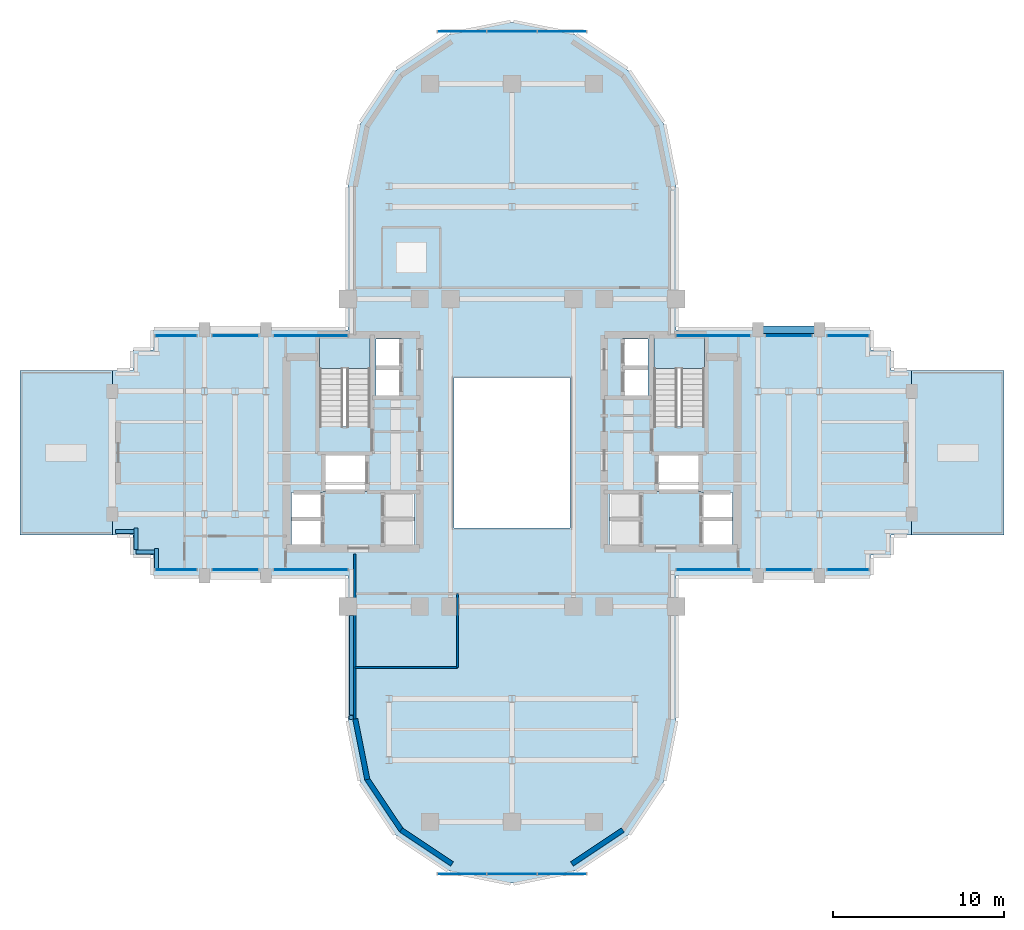
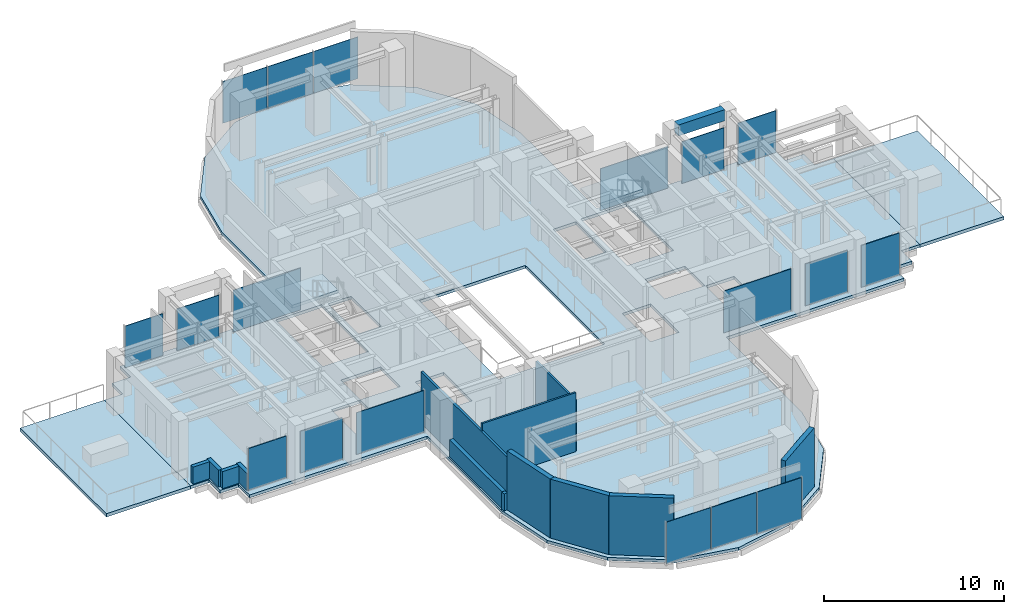
# One storey, part 7 of 16: 18 plates, 13 walls, 5 slabs, 1 beam, 16 elements without a shape of their own.
"""IFC4 building model written with IfcOpenShell, lengths in metres."""

from ifc_helpers import new_model, si_unit, direction, frame, frame_2d, origin, origin_2d, place, context, subcontext, project, spatial, polyline, rectangle, outline, extrude, source, transform, mapped, material, layer, layer_set, material_profile, profile_set, type_object, element, aggregate, save


model = new_model("IFC4")

# Units and contexts
model_context = context("Model", 3, precision=1e-05, world=origin(), true_north=direction((0.0, 1.0)))
body_context = subcontext(model_context, "Body", "Model", "MODEL_VIEW")
ifc_project = project(units=[si_unit("LENGTHUNIT", "METRE"), si_unit("AREAUNIT", "SQUARE_METRE"), si_unit("VOLUMEUNIT", "CUBIC_METRE"), si_unit("PLANEANGLEUNIT", "RADIAN"), si_unit("MASSUNIT", "GRAM", prefix="KILO")], contexts=[model_context])

# Site, building, storey
site_placement = place(None, origin())
site = spatial("IfcSite", under=ifc_project, at=site_placement, CompositionType="ELEMENT")
building_placement = place(site_placement, origin())
building = spatial("IfcBuilding", under=site, at=building_placement, Name="Keilestroom Media Tower", CompositionType="ELEMENT")
storey_placement = place(building_placement, frame((0.0, 0.0, 93.0)))
storey = spatial("IfcBuildingStorey", under=building, at=storey_placement, Name="L24", CompositionType="ELEMENT", Elevation=93.0)

# Beam
ifc_material_1 = material(Name="Precast concrete C40/50", Category="concrete")
ifc_material_profile = material_profile(ifc_material_1, rectangle(XDim=0.449951171875, YDim=0.75, at=origin_2d()), Name="PC 450x750")
ifc_profile_set = profile_set([ifc_material_profile], Name="Precast concrete C40/50")
beam_type = type_object("IfcBeamType", Name="Perimeter-Spandrel-Beam-PC-450x750", PredefinedType="SPANDREL", material=ifc_profile_set)
shared_shape_1 = source(origin(), body_context, "Body", "SweptSolid", [
    extrude(rectangle(XDim=0.449951171875, YDim=0.75, at=origin_2d()), origin(), (0.0, 0.0, 1.0), 2.989990234375),
])
beam_placement = place(storey_placement, frame((14.705078125, 7.199951171875, 3.625), z_axis=(1.0, 0.0, 0.0), x_axis=(0.0, 1.0, 0.0)))
element("IfcBeam", 1, at=beam_placement, inside=storey, type_object=beam_type, Name="L24 Beam SPB-1 BM-L24-EW-027", PredefinedType="SPANDREL", context=body_context, shape_type="MappedRepresentation", body=[
    mapped(shared_shape_1, transform((0.0, 0.0, 0.0), x_axis=(1.0, 0.0, 0.0), y_axis=(0.0, 1.0, 0.0), z_axis=(0.0, 0.0, 1.0), scale=1.0)),
])

# Slabs
ifc_material_2 = material(Name="Concrete C50/60", Category="concrete")
ifc_layer_1 = layer(ifc_material_2, 0.199951171875)
ifc_layer_set_1 = layer_set([ifc_layer_1], Name="Concrete C50/60")
slab_type_1 = type_object("IfcSlabType", Name="Composite-Floor-Slab-200", PredefinedType="FLOOR", material=ifc_layer_set_1)
slab_1_placement = place(storey_placement, frame((0.0, 0.0, -0.199951171875)))
element("IfcSlab", 2, at=slab_1_placement, inside=storey, type_object=slab_type_1, Name="L24 Structural Composite Floor Slab", PredefinedType="FLOOR", context=body_context, shape_type="SweptSolid", body=[
    extrude(outline(polyline([(23.39990234375, -4.800048828125), (23.39990234375, 4.800048828125), (22.199951171875, 4.800048828125), (22.199951171875, 6.0), (21.0, 6.0), (21.0, 7.199951171875), (9.60009765625, 7.199951171875), (9.60009765625, 9.60009765625), (9.60009765625, 15.60009765625), (8.869140625, 19.273681640625), (6.7880859375, 22.38818359375), (3.673828125, 24.46923828125), (0.0, 25.199951171875), (-3.673828125, 24.46923828125), (-6.7880859375, 22.38818359375), (-8.869140625, 19.273681640625), (-9.60009765625, 15.60009765625), (-9.60009765625, 9.60009765625), (-9.60009765625, 7.199951171875), (-21.0, 7.199951171875), (-21.0, 6.0), (-22.199951171875, 6.0), (-22.199951171875, 4.800048828125), (-23.39990234375, 4.800048828125), (-23.39990234375, -4.800048828125), (-22.199951171875, -4.800048828125), (-22.199951171875, -6.0), (-21.0, -6.0), (-21.0, -7.199951171875), (-9.60009765625, -7.199951171875), (-9.60009765625, -9.60009765625), (-9.60009765625, -15.60009765625), (-8.869140625, -19.273681640625), (-6.7880859375, -22.38818359375), (-3.673828125, -24.46923828125), (0.0, -25.199951171875), (3.673828125, -24.46923828125), (6.7880859375, -22.38818359375), (8.869140625, -19.273681640625), (9.60009765625, -15.60009765625), (9.60009765625, -9.60009765625), (9.60009765625, -7.199951171875), (21.0, -7.199951171875), (21.0, -6.0), (22.199951171875, -6.0), (22.199951171875, -4.800048828125), (23.39990234375, -4.800048828125)]), holes=[polyline([(-12.919921875, -5.47998046875), (-12.919921875, -2.320068359375), (-11.080078125, -2.320068359375), (-11.080078125, -5.47998046875), (-12.919921875, -5.47998046875)]), polyline([(-11.260009765625, 1.544921875), (-11.260009765625, 6.760009765625), (-8.300048828125, 6.760009765625), (-8.300048828125, 1.544921875), (-11.260009765625, 1.544921875)]), polyline([(-11.050048828125, -2.280029296875), (-11.050048828125, -0.10009765625), (-8.47998046875, -0.10009765625), (-8.47998046875, -2.280029296875), (-11.050048828125, -2.280029296875)]), polyline([(-7.949951171875, 3.300048828125), (-7.949951171875, 6.64990234375), (-6.47998046875, 6.64990234375), (-6.47998046875, 3.300048828125), (-7.949951171875, 3.300048828125)]), polyline([(-7.56005859375, -5.47998046875), (-7.56005859375, -2.320068359375), (-5.719970703125, -2.320068359375), (-5.719970703125, -5.47998046875), (-7.56005859375, -5.47998046875)]), polyline([(-3.39990234375, -4.39990234375), (-3.39990234375, 4.39990234375), (3.39990234375, 4.39990234375), (3.39990234375, -4.39990234375), (-3.39990234375, -4.39990234375)]), polyline([(5.719970703125, -5.47998046875), (5.719970703125, -2.320068359375), (7.56005859375, -2.320068359375), (7.56005859375, -5.47998046875), (5.719970703125, -5.47998046875)]), polyline([(7.949951171875, 6.64990234375), (7.949951171875, 3.300048828125), (6.47998046875, 3.300048828125), (6.47998046875, 6.64990234375), (7.949951171875, 6.64990234375)]), polyline([(8.300048828125, 6.760009765625), (11.260009765625, 6.760009765625), (11.260009765625, 1.544921875), (8.300048828125, 1.544921875), (8.300048828125, 6.760009765625)]), polyline([(8.47998046875, -2.280029296875), (8.47998046875, -0.10009765625), (11.050048828125, -0.10009765625), (11.050048828125, -2.280029296875), (8.47998046875, -2.280029296875)]), polyline([(12.919921875, -5.47998046875), (11.080078125, -5.47998046875), (11.080078125, -2.320068359375), (12.919921875, -2.320068359375), (12.919921875, -5.47998046875)])]), origin(), (0.0, 0.0, 1.0), 0.199951171875),
])
ifc_material_3 = material(Name="Concrete C45/55", Category="concrete")
ifc_layer_2 = layer(ifc_material_3, 0.219970703125)
ifc_layer_set_2 = layer_set([ifc_layer_2], Name="Concrete C45/55")
slab_type_2 = type_object("IfcSlabType", Name="Exterior-Terrace-And-Sky-Garden-Slab-220", PredefinedType="FLOOR", material=ifc_layer_set_2)
slab_2_placement = place(storey_placement, frame((0.0, 0.0, -0.219970703125)))
element("IfcSlab", 3, at=slab_2_placement, inside=storey, type_object=slab_type_2, Name="L24 Planted Sky-Garden Terrace Slab L24-SKYGARDEN-W", PredefinedType="FLOOR", context=body_context, shape_type="SweptSolid", body=[
    extrude(outline(polyline([(-28.800048828125, -4.800048828125), (-23.39990234375, -4.800048828125), (-23.39990234375, 4.800048828125), (-28.800048828125, 4.800048828125), (-28.800048828125, -4.800048828125)])), origin(), (0.0, 0.0, 1.0), 0.219970703125),
])
slab_3_placement = place(storey_placement, frame((0.0, 0.0, -0.219970703125)))
element("IfcSlab", 4, at=slab_3_placement, inside=storey, type_object=slab_type_2, Name="L24 Planted Sky-Garden Terrace Slab L24-SKYGARDEN-E", PredefinedType="FLOOR", context=body_context, shape_type="SweptSolid", body=[
    extrude(outline(polyline([(23.39990234375, -4.800048828125), (28.800048828125, -4.800048828125), (28.800048828125, 4.800048828125), (23.39990234375, 4.800048828125), (23.39990234375, -4.800048828125)])), origin(), (0.0, 0.0, 1.0), 0.219970703125),
])

# Stair, slab
stair_type = type_object("IfcStairType", Name="Enclosed-Dog-Leg-Stair-ST-CORE", PredefinedType="HALF_TURN_STAIR", material=ifc_material_3)
stair_1_placement = place(storey_placement, origin())
stair_1 = element("IfcStair", 5, at=stair_1_placement, inside=storey, type_object=stair_type, Name="L24 West Core Escape Stair ST-1", PredefinedType="HALF_TURN_STAIR")
ifc_layer_3 = layer(ifc_material_3, 0.199951171875)
ifc_layer_set_3 = layer_set([ifc_layer_3], Name="Concrete C45/55")
slab_type_3 = type_object("IfcSlabType", Name="Stair-Intermediate-And-Top-Landing-Slab-200", PredefinedType="LANDING", material=ifc_layer_set_3)
slab_4_placement = place(storey_placement, frame((0.0, 0.0, 1.89990234375)))
slab_4 = element("IfcSlab", 6, at=slab_4_placement, type_object=slab_type_3, Name="ST-1 landing 1", PredefinedType="LANDING", context=body_context, shape_type="SweptSolid", body=[
    extrude(outline(polyline([(-8.300048828125, 4.931884765625), (-8.300048828125, 6.760009765625), (-11.260009765625, 6.760009765625), (-11.260009765625, 4.931884765625), (-8.300048828125, 4.931884765625)])), origin(), (0.0, 0.0, 1.0), 0.2001953125),
])
aggregate(stair_1, [slab_4])

stair_2_placement = place(storey_placement, origin())
stair_2 = element("IfcStair", 7, at=stair_2_placement, inside=storey, type_object=stair_type, Name="L24 East Core Escape Stair ST-2", PredefinedType="HALF_TURN_STAIR")
slab_5_placement = place(storey_placement, frame((0.0, 0.0, 1.89990234375)))
slab_5 = element("IfcSlab", 8, at=slab_5_placement, type_object=slab_type_3, Name="ST-2 landing 1", PredefinedType="LANDING", context=body_context, shape_type="SweptSolid", body=[
    extrude(outline(polyline([(11.260009765625, 4.931884765625), (11.260009765625, 6.760009765625), (8.300048828125, 6.760009765625), (8.300048828125, 4.931884765625), (11.260009765625, 4.931884765625)])), origin(), (0.0, 0.0, 1.0), 0.2001953125),
])
aggregate(stair_2, [slab_5])

# Curtain wall, plates
ifc_material_4 = material(Name="Anodised Aluminium Alloy", Category="aluminium")
curtain_wall_type_1 = type_object("IfcCurtainWallType", Name="Unitised-Curtain-Wall-CW-6", PredefinedType="NOTDEFINED", material=ifc_material_4)
curtain_wall_1_placement = place(storey_placement, origin())
curtain_wall_1 = element("IfcCurtainWall", 9, at=curtain_wall_1_placement, inside=storey, type_object=curtain_wall_type_1, Name="L24 Curtain Wall CW-6 CW-L24-LN-1", PredefinedType="NOTDEFINED")
ifc_material_5 = material(Name="Curved-Facet Triple Glazed Unit", Category="glass")
ifc_layer_4 = layer(ifc_material_5, 0.033935546875)
ifc_layer_set_4 = layer_set([ifc_layer_4], Name="Curved-Facet Triple Glazed Unit")
plate_type_1 = type_object("IfcPlateType", Name="Insulated-Curtain-Wall-Glazing-Panel-CW-6", PredefinedType="CURTAIN_PANEL", material=ifc_layer_set_4)
shared_shape_2 = source(origin(), body_context, "Body", "SweptSolid", [
    extrude(rectangle(XDim=2.84375, YDim=0.033935546875, at=origin_2d()), origin(), (0.0, 0.0, 1.0), 2.833984375),
])
plate_1_placement = place(storey_placement, frame((-2.9169921875, 24.64990234375, 0.072998046875), z_axis=(0.0, 0.0, 1.0), x_axis=(1.0, 0.0, 0.0)))
plate_1 = element("IfcPlate", 10, at=plate_1_placement, type_object=plate_type_1, Name="CW-6 Unitised Glazing 00", PredefinedType="CURTAIN_PANEL", context=body_context, shape_type="MappedRepresentation", body=[
    mapped(shared_shape_2, transform((0.0, 0.0, 0.0), x_axis=(1.0, 0.0, 0.0), y_axis=(0.0, 1.0, 0.0), z_axis=(0.0, 0.0, 1.0), scale=1.0)),
])
plate_2_placement = place(storey_placement, frame((2.9169921875, 24.64990234375, 0.072998046875), z_axis=(0.0, 0.0, 1.0), x_axis=(1.0, 0.0, 0.0)))
plate_2 = element("IfcPlate", 11, at=plate_2_placement, type_object=plate_type_1, Name="CW-6 Unitised Glazing 02", PredefinedType="CURTAIN_PANEL", context=body_context, shape_type="MappedRepresentation", body=[
    mapped(shared_shape_2, transform((0.0, 0.0, 0.0), x_axis=(1.0, 0.0, 0.0), y_axis=(0.0, 1.0, 0.0), z_axis=(0.0, 0.0, 1.0), scale=1.0)),
])

curtain_wall_2_placement = place(storey_placement, origin())
curtain_wall_2 = element("IfcCurtainWall", 12, at=curtain_wall_2_placement, inside=storey, type_object=curtain_wall_type_1, Name="L24 Curtain Wall CW-6 CW-L24-LS-1", PredefinedType="NOTDEFINED")
plate_3_placement = place(storey_placement, frame((-2.9169921875, -24.64990234375, 0.072998046875), z_axis=(0.0, 0.0, 1.0), x_axis=(1.0, 0.0, 0.0)))
plate_3 = element("IfcPlate", 13, at=plate_3_placement, type_object=plate_type_1, Name="CW-6 Unitised Glazing 00", PredefinedType="CURTAIN_PANEL", context=body_context, shape_type="MappedRepresentation", body=[
    mapped(shared_shape_2, transform((0.0, 0.0, 0.0), x_axis=(1.0, 0.0, 0.0), y_axis=(0.0, 1.0, 0.0), z_axis=(0.0, 0.0, 1.0), scale=1.0)),
])
plate_4_placement = place(storey_placement, frame((2.9169921875, -24.64990234375, 0.072998046875), z_axis=(0.0, 0.0, 1.0), x_axis=(1.0, 0.0, 0.0)))
plate_4 = element("IfcPlate", 14, at=plate_4_placement, type_object=plate_type_1, Name="CW-6 Unitised Glazing 02", PredefinedType="CURTAIN_PANEL", context=body_context, shape_type="MappedRepresentation", body=[
    mapped(shared_shape_2, transform((0.0, 0.0, 0.0), x_axis=(1.0, 0.0, 0.0), y_axis=(0.0, 1.0, 0.0), z_axis=(0.0, 0.0, 1.0), scale=1.0)),
])

# Plate
shared_shape_3 = source(origin(), body_context, "Body", "SweptSolid", [
    extrude(rectangle(XDim=2.876220703125, YDim=0.033935546875, at=origin_2d()), origin(), (0.0, 0.0, 1.0), 2.833984375),
])
plate_5_placement = place(storey_placement, frame((0.0, 24.64990234375, 0.072998046875), z_axis=(0.0, 0.0, 1.0), x_axis=(1.0, 0.0, 0.0)))
plate_5 = element("IfcPlate", 15, at=plate_5_placement, type_object=plate_type_1, Name="CW-6 Unitised Glazing 01", PredefinedType="CURTAIN_PANEL", context=body_context, shape_type="MappedRepresentation", body=[
    mapped(shared_shape_3, transform((0.0, 0.0, 0.0), x_axis=(1.0, 0.0, 0.0), y_axis=(0.0, 1.0, 0.0), z_axis=(0.0, 0.0, 1.0), scale=1.0)),
])

aggregate(curtain_wall_1, [plate_1, plate_5, plate_2])

plate_6_placement = place(storey_placement, frame((0.0, -24.64990234375, 0.072998046875), z_axis=(0.0, 0.0, 1.0), x_axis=(1.0, 0.0, 0.0)))
plate_6 = element("IfcPlate", 16, at=plate_6_placement, type_object=plate_type_1, Name="CW-6 Unitised Glazing 01", PredefinedType="CURTAIN_PANEL", context=body_context, shape_type="MappedRepresentation", body=[
    mapped(shared_shape_3, transform((0.0, 0.0, 0.0), x_axis=(1.0, 0.0, 0.0), y_axis=(0.0, 1.0, 0.0), z_axis=(0.0, 0.0, 1.0), scale=1.0)),
])

aggregate(curtain_wall_2, [plate_3, plate_6, plate_4])

# Curtain wall, plate
curtain_wall_type_2 = type_object("IfcCurtainWallType", Name="Unitised-Curtain-Wall-CW-2", PredefinedType="NOTDEFINED", material=ifc_material_4)
curtain_wall_3_placement = place(storey_placement, origin())
curtain_wall_3 = element("IfcCurtainWall", 17, at=curtain_wall_3_placement, inside=storey, type_object=curtain_wall_type_2, Name="L24 Curtain Wall CW-2 CW-L24-NW-1", PredefinedType="NOTDEFINED")
ifc_material_6 = material(Name="Double Glazed Low-E Unit", Category="glass")
ifc_layer_5 = layer(ifc_material_6, 0.0419921875)
ifc_layer_set_5 = layer_set([ifc_layer_5], Name="Double Glazed Low-E Unit")
plate_type_2 = type_object("IfcPlateType", Name="Insulated-Curtain-Wall-Glazing-Panel-CW-2", PredefinedType="CURTAIN_PANEL", material=ifc_layer_set_5)
shared_shape_4 = source(origin(), body_context, "Body", "SweptSolid", [
    extrude(rectangle(XDim=2.43310546875, YDim=0.0419921875, at=origin_2d()), origin(), (0.0, 0.0, 1.0), 2.833984375),
])
plate_7_placement = place(storey_placement, frame((-19.66748046875, 6.85009765625, 0.072998046875), z_axis=(0.0, 0.0, 1.0), x_axis=(1.0, 0.0, 0.0)))
plate_7 = element("IfcPlate", 18, at=plate_7_placement, type_object=plate_type_2, Name="CW-2 Unitised Glazing 00", PredefinedType="CURTAIN_PANEL", context=body_context, shape_type="MappedRepresentation", body=[
    mapped(shared_shape_4, transform((0.0, 0.0, 0.0), x_axis=(1.0, 0.0, 0.0), y_axis=(0.0, 1.0, 0.0), z_axis=(0.0, 0.0, 1.0), scale=1.0)),
])
aggregate(curtain_wall_3, [plate_7])

curtain_wall_4_placement = place(storey_placement, origin())
curtain_wall_4 = element("IfcCurtainWall", 19, at=curtain_wall_4_placement, inside=storey, type_object=curtain_wall_type_2, Name="L24 Curtain Wall CW-2 CW-L24-NE-3", PredefinedType="NOTDEFINED")
plate_8_placement = place(storey_placement, frame((19.66748046875, 6.85009765625, 0.072998046875), z_axis=(0.0, 0.0, 1.0), x_axis=(1.0, 0.0, 0.0)))
plate_8 = element("IfcPlate", 20, at=plate_8_placement, type_object=plate_type_2, Name="CW-2 Unitised Glazing 00", PredefinedType="CURTAIN_PANEL", context=body_context, shape_type="MappedRepresentation", body=[
    mapped(shared_shape_4, transform((0.0, 0.0, 0.0), x_axis=(1.0, 0.0, 0.0), y_axis=(0.0, 1.0, 0.0), z_axis=(0.0, 0.0, 1.0), scale=1.0)),
])
aggregate(curtain_wall_4, [plate_8])

curtain_wall_5_placement = place(storey_placement, origin())
curtain_wall_5 = element("IfcCurtainWall", 21, at=curtain_wall_5_placement, inside=storey, type_object=curtain_wall_type_2, Name="L24 Curtain Wall CW-2 CW-L24-SW-1", PredefinedType="NOTDEFINED")
plate_9_placement = place(storey_placement, frame((-19.66748046875, -6.85009765625, 0.072998046875), z_axis=(0.0, 0.0, 1.0), x_axis=(1.0, 0.0, 0.0)))
plate_9 = element("IfcPlate", 22, at=plate_9_placement, type_object=plate_type_2, Name="CW-2 Unitised Glazing 00", PredefinedType="CURTAIN_PANEL", context=body_context, shape_type="MappedRepresentation", body=[
    mapped(shared_shape_4, transform((0.0, 0.0, 0.0), x_axis=(1.0, 0.0, 0.0), y_axis=(0.0, 1.0, 0.0), z_axis=(0.0, 0.0, 1.0), scale=1.0)),
])
aggregate(curtain_wall_5, [plate_9])

curtain_wall_6_placement = place(storey_placement, origin())
curtain_wall_6 = element("IfcCurtainWall", 23, at=curtain_wall_6_placement, inside=storey, type_object=curtain_wall_type_2, Name="L24 Curtain Wall CW-2 CW-L24-SE-3", PredefinedType="NOTDEFINED")
plate_10_placement = place(storey_placement, frame((19.66748046875, -6.85009765625, 0.072998046875), z_axis=(0.0, 0.0, 1.0), x_axis=(1.0, 0.0, 0.0)))
plate_10 = element("IfcPlate", 24, at=plate_10_placement, type_object=plate_type_2, Name="CW-2 Unitised Glazing 00", PredefinedType="CURTAIN_PANEL", context=body_context, shape_type="MappedRepresentation", body=[
    mapped(shared_shape_4, transform((0.0, 0.0, 0.0), x_axis=(1.0, 0.0, 0.0), y_axis=(0.0, 1.0, 0.0), z_axis=(0.0, 0.0, 1.0), scale=1.0)),
])
aggregate(curtain_wall_6, [plate_10])

curtain_wall_7_placement = place(storey_placement, origin())
curtain_wall_7 = element("IfcCurtainWall", 25, at=curtain_wall_7_placement, inside=storey, type_object=curtain_wall_type_2, Name="L24 Curtain Wall CW-2 CW-L24-NW-2", PredefinedType="NOTDEFINED")
shared_shape_5 = source(origin(), body_context, "Body", "SweptSolid", [
    extrude(rectangle(XDim=2.697998046875, YDim=0.0419921875, at=origin_2d()), origin(), (0.0, 0.0, 1.0), 2.833984375),
])
plate_11_placement = place(storey_placement, frame((-16.199951171875, 6.85009765625, 0.072998046875), z_axis=(0.0, 0.0, 1.0), x_axis=(1.0, 0.0, 0.0)))
plate_11 = element("IfcPlate", 26, at=plate_11_placement, type_object=plate_type_2, Name="CW-2 Unitised Glazing 00", PredefinedType="CURTAIN_PANEL", context=body_context, shape_type="MappedRepresentation", body=[
    mapped(shared_shape_5, transform((0.0, 0.0, 0.0), x_axis=(1.0, 0.0, 0.0), y_axis=(0.0, 1.0, 0.0), z_axis=(0.0, 0.0, 1.0), scale=1.0)),
])
aggregate(curtain_wall_7, [plate_11])

curtain_wall_8_placement = place(storey_placement, origin())
curtain_wall_8 = element("IfcCurtainWall", 27, at=curtain_wall_8_placement, inside=storey, type_object=curtain_wall_type_2, Name="L24 Curtain Wall CW-2 CW-L24-NE-2", PredefinedType="NOTDEFINED")
plate_12_placement = place(storey_placement, frame((16.199951171875, 6.85009765625, 0.072998046875), z_axis=(0.0, 0.0, 1.0), x_axis=(1.0, 0.0, 0.0)))
plate_12 = element("IfcPlate", 28, at=plate_12_placement, type_object=plate_type_2, Name="CW-2 Unitised Glazing 00", PredefinedType="CURTAIN_PANEL", context=body_context, shape_type="MappedRepresentation", body=[
    mapped(shared_shape_5, transform((0.0, 0.0, 0.0), x_axis=(1.0, 0.0, 0.0), y_axis=(0.0, 1.0, 0.0), z_axis=(0.0, 0.0, 1.0), scale=1.0)),
])
aggregate(curtain_wall_8, [plate_12])

curtain_wall_9_placement = place(storey_placement, origin())
curtain_wall_9 = element("IfcCurtainWall", 29, at=curtain_wall_9_placement, inside=storey, type_object=curtain_wall_type_2, Name="L24 Curtain Wall CW-2 CW-L24-SW-2", PredefinedType="NOTDEFINED")
plate_13_placement = place(storey_placement, frame((-16.199951171875, -6.85009765625, 0.072998046875), z_axis=(0.0, 0.0, 1.0), x_axis=(1.0, 0.0, 0.0)))
plate_13 = element("IfcPlate", 30, at=plate_13_placement, type_object=plate_type_2, Name="CW-2 Unitised Glazing 00", PredefinedType="CURTAIN_PANEL", context=body_context, shape_type="MappedRepresentation", body=[
    mapped(shared_shape_5, transform((0.0, 0.0, 0.0), x_axis=(1.0, 0.0, 0.0), y_axis=(0.0, 1.0, 0.0), z_axis=(0.0, 0.0, 1.0), scale=1.0)),
])
aggregate(curtain_wall_9, [plate_13])

curtain_wall_10_placement = place(storey_placement, origin())
curtain_wall_10 = element("IfcCurtainWall", 31, at=curtain_wall_10_placement, inside=storey, type_object=curtain_wall_type_2, Name="L24 Curtain Wall CW-2 CW-L24-SE-2", PredefinedType="NOTDEFINED")
plate_14_placement = place(storey_placement, frame((16.199951171875, -6.85009765625, 0.072998046875), z_axis=(0.0, 0.0, 1.0), x_axis=(1.0, 0.0, 0.0)))
plate_14 = element("IfcPlate", 32, at=plate_14_placement, type_object=plate_type_2, Name="CW-2 Unitised Glazing 00", PredefinedType="CURTAIN_PANEL", context=body_context, shape_type="MappedRepresentation", body=[
    mapped(shared_shape_5, transform((0.0, 0.0, 0.0), x_axis=(1.0, 0.0, 0.0), y_axis=(0.0, 1.0, 0.0), z_axis=(0.0, 0.0, 1.0), scale=1.0)),
])
aggregate(curtain_wall_10, [plate_14])

curtain_wall_11_placement = place(storey_placement, origin())
curtain_wall_11 = element("IfcCurtainWall", 33, at=curtain_wall_11_placement, inside=storey, type_object=curtain_wall_type_2, Name="L24 Curtain Wall CW-2 CW-L24-NW-3", PredefinedType="NOTDEFINED")
shared_shape_6 = source(origin(), body_context, "Body", "SweptSolid", [
    extrude(rectangle(XDim=4.3330078125, YDim=0.0419921875, at=origin_2d()), origin(), (0.0, 0.0, 1.0), 2.833984375),
])
plate_15_placement = place(storey_placement, frame((-11.782470703125, 6.85009765625, 0.072998046875), z_axis=(0.0, 0.0, 1.0), x_axis=(1.0, 0.0, 0.0)))
plate_15 = element("IfcPlate", 34, at=plate_15_placement, type_object=plate_type_2, Name="CW-2 Unitised Glazing 00", PredefinedType="CURTAIN_PANEL", context=body_context, shape_type="MappedRepresentation", body=[
    mapped(shared_shape_6, transform((0.0, 0.0, 0.0), x_axis=(1.0, 0.0, 0.0), y_axis=(0.0, 1.0, 0.0), z_axis=(0.0, 0.0, 1.0), scale=1.0)),
])
aggregate(curtain_wall_11, [plate_15])

curtain_wall_12_placement = place(storey_placement, origin())
curtain_wall_12 = element("IfcCurtainWall", 35, at=curtain_wall_12_placement, inside=storey, type_object=curtain_wall_type_2, Name="L24 Curtain Wall CW-2 CW-L24-NE-1", PredefinedType="NOTDEFINED")
plate_16_placement = place(storey_placement, frame((11.782470703125, 6.85009765625, 0.072998046875), z_axis=(0.0, 0.0, 1.0), x_axis=(1.0, 0.0, 0.0)))
plate_16 = element("IfcPlate", 36, at=plate_16_placement, type_object=plate_type_2, Name="CW-2 Unitised Glazing 00", PredefinedType="CURTAIN_PANEL", context=body_context, shape_type="MappedRepresentation", body=[
    mapped(shared_shape_6, transform((0.0, 0.0, 0.0), x_axis=(1.0, 0.0, 0.0), y_axis=(0.0, 1.0, 0.0), z_axis=(0.0, 0.0, 1.0), scale=1.0)),
])
aggregate(curtain_wall_12, [plate_16])

curtain_wall_13_placement = place(storey_placement, origin())
curtain_wall_13 = element("IfcCurtainWall", 37, at=curtain_wall_13_placement, inside=storey, type_object=curtain_wall_type_2, Name="L24 Curtain Wall CW-2 CW-L24-SW-3", PredefinedType="NOTDEFINED")
plate_17_placement = place(storey_placement, frame((-11.782470703125, -6.85009765625, 0.072998046875), z_axis=(0.0, 0.0, 1.0), x_axis=(1.0, 0.0, 0.0)))
plate_17 = element("IfcPlate", 38, at=plate_17_placement, type_object=plate_type_2, Name="CW-2 Unitised Glazing 00", PredefinedType="CURTAIN_PANEL", context=body_context, shape_type="MappedRepresentation", body=[
    mapped(shared_shape_6, transform((0.0, 0.0, 0.0), x_axis=(1.0, 0.0, 0.0), y_axis=(0.0, 1.0, 0.0), z_axis=(0.0, 0.0, 1.0), scale=1.0)),
])
aggregate(curtain_wall_13, [plate_17])

curtain_wall_14_placement = place(storey_placement, origin())
curtain_wall_14 = element("IfcCurtainWall", 39, at=curtain_wall_14_placement, inside=storey, type_object=curtain_wall_type_2, Name="L24 Curtain Wall CW-2 CW-L24-SE-1", PredefinedType="NOTDEFINED")
plate_18_placement = place(storey_placement, frame((11.782470703125, -6.85009765625, 0.072998046875), z_axis=(0.0, 0.0, 1.0), x_axis=(1.0, 0.0, 0.0)))
plate_18 = element("IfcPlate", 40, at=plate_18_placement, type_object=plate_type_2, Name="CW-2 Unitised Glazing 00", PredefinedType="CURTAIN_PANEL", context=body_context, shape_type="MappedRepresentation", body=[
    mapped(shared_shape_6, transform((0.0, 0.0, 0.0), x_axis=(1.0, 0.0, 0.0), y_axis=(0.0, 1.0, 0.0), z_axis=(0.0, 0.0, 1.0), scale=1.0)),
])
aggregate(curtain_wall_14, [plate_18])

# Walls
ifc_layer_6 = layer(ifc_material_1, 0.300048828125)
ifc_layer_set_6 = layer_set([ifc_layer_6], Name="Precast concrete C40/50")
wall_type_1 = type_object("IfcWallType", Name="Exterior-Masonry-Spandrel-Wall-300", PredefinedType="SOLIDWALL", material=ifc_layer_set_6)
for number, where, z_axis, x_axis, name in (
    (41, (-9.1748046875, -15.585205078125, 0.0), (0.0, 0.0, 1.0), (0.195114232679, -0.980780523974, 0.0), "L24 Lobe Facet Precast Frame Wall 07"),
    (42, (-8.48193359375, -19.097412109375, 0.0), (0.0, 0.0, 1.0), (0.555574187116, -0.831466970246, 0.0), "L24 Lobe Facet Precast Frame Wall 08"),
):
    element("IfcWall", number, at=place(storey_placement, frame(where, z_axis=z_axis, x_axis=x_axis)), inside=storey, type_object=wall_type_1, Name=name, PredefinedType="SOLIDWALL", context=body_context, shape_type="SweptSolid", body=[
        extrude(rectangle(XDim=3.608642578125, YDim=0.300048828125, at=frame_2d((1.80419921875, 0.0))), origin(), (0.0, 0.0, 1.0), 4.0),
    ])
for number, where, z_axis, x_axis, name in (
    (43, (-6.497802734375, -22.0771484375, 0.0), (0.0, 0.0, 1.0), (0.8314749531, -0.555562239868, 0.0), "L24 Lobe Facet Precast Frame Wall 09"),
    (44, (3.510009765625, -24.073486328125, 0.0), (0.0, 0.0, 1.0), (0.8314749531, 0.555562239868, 0.0), "L24 Lobe Facet Precast Frame Wall 10"),
):
    element("IfcWall", number, at=place(storey_placement, frame(where, z_axis=z_axis, x_axis=x_axis)), inside=storey, type_object=wall_type_1, Name=name, PredefinedType="SOLIDWALL", context=body_context, shape_type="SweptSolid", body=[
        extrude(rectangle(XDim=3.59326171875, YDim=0.300048828125, at=frame_2d((1.796630859375, 0.0))), origin(), (0.0, 0.0, 1.0), 4.0),
    ])
ifc_material_7 = material(Name="Gypsum Plasterboard & Steel Stud", Category="steel")
ifc_layer_7 = layer(ifc_material_7, 0.1201171875)
ifc_layer_set_7 = layer_set([ifc_layer_7], Name="Gypsum Plasterboard & Steel Stud")
wall_type_2 = type_object("IfcWallType", Name="Interior-Partition-Wall-120", PredefinedType="PARTITIONING", material=ifc_layer_set_7)
wall_1_placement = place(storey_placement, frame((-9.199951171875, -12.570068359375, 0.0), z_axis=(0.0, 0.0, 1.0), x_axis=(1.0, 0.0, 0.0)))
element("IfcWall", 45, at=wall_1_placement, inside=storey, type_object=wall_type_2, Name="L24 Interior Wall WP-L24-SL-HM", PredefinedType="PARTITIONING", context=body_context, shape_type="SweptSolid", body=[
    extrude(rectangle(XDim=6.02001953125, YDim=0.1201171875, at=frame_2d((3.010009765625, 0.0))), origin(), (0.0, 0.0, 1.0), 4.0),
])
wall_2_placement = place(storey_placement, frame((-3.179931640625, -12.570068359375, 0.0), z_axis=(0.0, 0.0, 1.0), x_axis=(0.0, 1.0, 0.0)))
element("IfcWall", 46, at=wall_2_placement, inside=storey, type_object=wall_type_2, Name="L24 Interior Wall WP-L24-SL-VM", PredefinedType="PARTITIONING", context=body_context, shape_type="SweptSolid", body=[
    extrude(rectangle(XDim=4.320068359375, YDim=0.1201171875, at=frame_2d((2.16015625, 0.0))), origin(), (0.0, 0.0, 1.0), 3.5),
])
ifc_layer_8 = layer(ifc_material_7, 0.14990234375)
ifc_layer_set_8 = layer_set([ifc_layer_8], Name="Gypsum Plasterboard & Steel Stud")
wall_type_3 = type_object("IfcWallType", Name="Interior-Partition-Wall-150", PredefinedType="PARTITIONING", material=ifc_layer_set_8)
wall_3_placement = place(storey_placement, frame((-9.199951171875, -15.679931640625, 0.0), z_axis=(0.0, 0.0, 1.0), x_axis=(0.0, 1.0, 0.0)))
element("IfcWall", 47, at=wall_3_placement, inside=storey, type_object=wall_type_3, Name="L24 Interior Wall WP-L24-SL-CHKW", PredefinedType="PARTITIONING", context=body_context, shape_type="SweptSolid", body=[
    extrude(rectangle(XDim=9.739990234375, YDim=0.14990234375, at=frame_2d((4.8701171875, 0.0))), origin(), (0.0, 0.0, 1.0), 3.5),
])
ifc_layer_9 = layer(ifc_material_1, 0.239990234375)
ifc_layer_set_9 = layer_set([ifc_layer_9], Name="Precast concrete C40/50")
wall_type_4 = type_object("IfcWallType", Name="Roof-And-Terrace-Parapet-Wall-240", PredefinedType="PARAPET", material=ifc_layer_set_9)
wall_4_placement = place(storey_placement, frame((-9.395263671875, -15.604248046875, 0.0), z_axis=(0.0, 0.0, 1.0), x_axis=(-0.194652052864, 0.980872355771, 0.0)))
element("IfcWall", 48, at=wall_4_placement, inside=storey, type_object=wall_type_4, Name="L24 Perimeter Edge Parapet Wall 08", PredefinedType="PARAPET", context=body_context, shape_type="SweptSolid", body=[
    extrude(rectangle(XDim=0.224609375, YDim=0.239990234375, at=frame_2d((0.1123046875, 0.0))), origin(), (0.0, 0.0, 1.0), 1.14990234375),
])
wall_5_placement = place(storey_placement, frame((-9.39990234375, -15.357666015625, 0.0), z_axis=(0.0, 0.0, 1.0), x_axis=(0.0, 1.0, 0.0)))
element("IfcWall", 49, at=wall_5_placement, inside=storey, type_object=wall_type_4, Name="L24 Perimeter Edge Parapet Wall 09", PredefinedType="PARAPET", context=body_context, shape_type="SweptSolid", body=[
    extrude(rectangle(XDim=5.82958984375, YDim=0.239990234375, at=frame_2d((2.914794921875, 0.0))), origin(), (0.0, 0.0, 1.0), 1.14990234375),
])
wall_6_placement = place(storey_placement, frame((-20.800048828125, -6.757080078125, 0.0), z_axis=(0.0, 0.0, 1.0), x_axis=(0.0, 1.0, 0.0)))
element("IfcWall", 50, at=wall_6_placement, inside=storey, type_object=wall_type_4, Name="L24 Perimeter Edge Parapet Wall 11", PredefinedType="PARAPET", context=body_context, shape_type="SweptSolid", body=[
    extrude(rectangle(XDim=1.156982421875, YDim=0.239990234375, at=frame_2d((0.57861328125, 0.0))), origin(), (0.0, 0.0, 1.0), 1.14990234375),
])
wall_7_placement = place(storey_placement, frame((-20.923095703125, -5.800048828125, 0.0), z_axis=(0.0, 0.0, 1.0), x_axis=(-1.0, 0.0, 0.0)))
element("IfcWall", 51, at=wall_7_placement, inside=storey, type_object=wall_type_4, Name="L24 Perimeter Edge Parapet Wall 12", PredefinedType="PARAPET", context=body_context, shape_type="SweptSolid", body=[
    extrude(rectangle(XDim=1.076904296875, YDim=0.239990234375, at=frame_2d((0.53857421875, 0.0))), origin(), (0.0, 0.0, 1.0), 1.14990234375),
])
wall_8_placement = place(storey_placement, frame((-22.0, -5.677001953125, 0.0), z_axis=(0.0, 0.0, 1.0), x_axis=(0.0, 1.0, 0.0)))
element("IfcWall", 52, at=wall_8_placement, inside=storey, type_object=wall_type_4, Name="L24 Perimeter Edge Parapet Wall 13", PredefinedType="PARAPET", context=body_context, shape_type="SweptSolid", body=[
    extrude(rectangle(XDim=1.277099609375, YDim=0.239990234375, at=frame_2d((0.638671875, 0.0))), origin(), (0.0, 0.0, 1.0), 1.14990234375),
])
wall_9_placement = place(storey_placement, frame((-22.123046875, -4.60009765625, 0.0), z_axis=(0.0, 0.0, 1.0), x_axis=(-1.0, 0.0, 0.0)))
element("IfcWall", 53, at=wall_9_placement, inside=storey, type_object=wall_type_4, Name="L24 Perimeter Edge Parapet Wall 14", PredefinedType="PARAPET", context=body_context, shape_type="SweptSolid", body=[
    extrude(rectangle(XDim=1.076904296875, YDim=0.239990234375, at=frame_2d((0.53857421875, 0.0))), origin(), (0.0, 0.0, 1.0), 1.14990234375),
])

save(model, "model.ifc")
